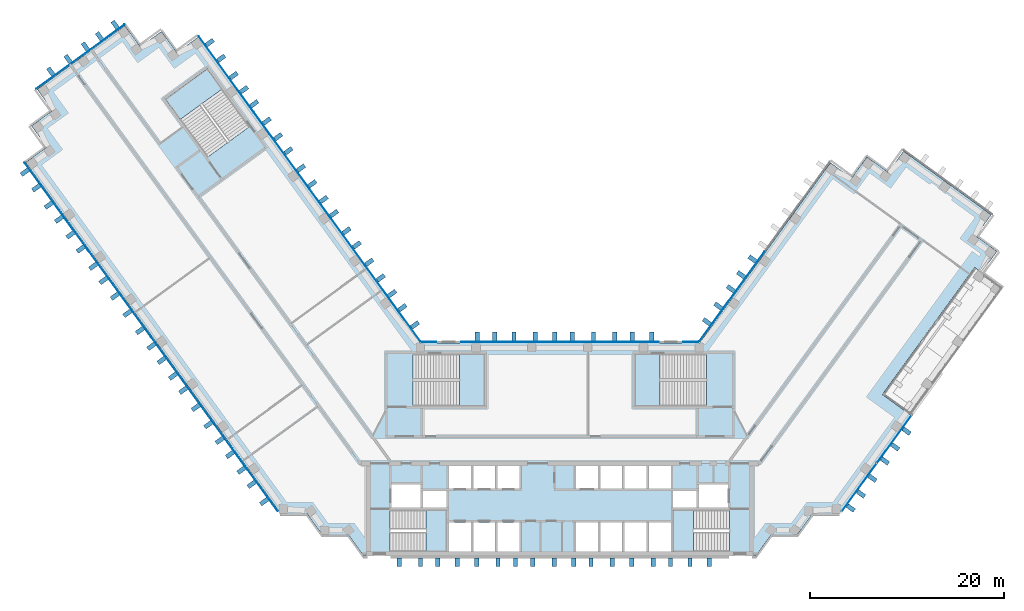
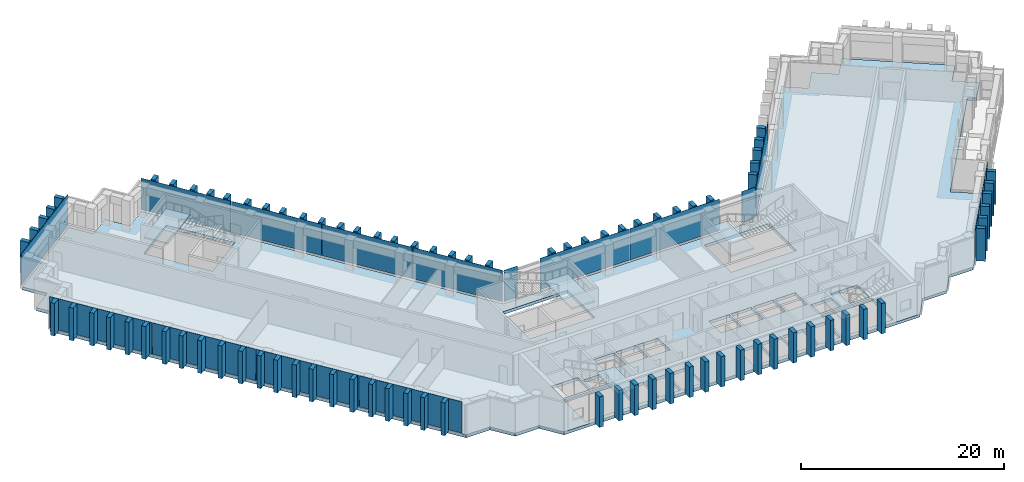
"""IFC4 building model written with IfcOpenShell, lengths in metres."""

from ifc_helpers import new_model, si_unit, direction, frame, origin, origin_2d, place, context, subcontext, project, spatial, polyline, rectangle, outline, extrude, material, layer, layer_set, type_object, element, aggregate, save


model = new_model("IFC4")

# Units and contexts
model_context = context("Model", 3, precision=1e-05, world=origin(), true_north=direction((0.0, 1.0)))
body_context = subcontext(model_context, "Body", "Model", "MODEL_VIEW")
ifc_project = project(units=[si_unit("LENGTHUNIT", "METRE"), si_unit("AREAUNIT", "SQUARE_METRE"), si_unit("VOLUMEUNIT", "CUBIC_METRE"), si_unit("PLANEANGLEUNIT", "RADIAN"), si_unit("MASSUNIT", "GRAM", prefix="KILO")], contexts=[model_context])

# Site, building, storey
site_placement = place(None, origin())
site = spatial("IfcSite", under=ifc_project, at=site_placement, CompositionType="ELEMENT")
building_placement = place(site_placement, origin())
building = spatial("IfcBuilding", under=site, at=building_placement, Name="Quipu Civic Tower", CompositionType="ELEMENT")
storey_1_placement = place(building_placement, frame((0.0, 0.0, 93.0)))
storey_1 = spatial("IfcBuildingStorey", under=building, at=storey_1_placement, Name="L21", CompositionType="ELEMENT", Elevation=93.0)

# Slab
ifc_material_1 = material(Name="Concrete C40/50", Category="concrete")
ifc_layer_1 = layer(ifc_material_1, 0.35009765625)
ifc_layer_set_1 = layer_set([ifc_layer_1], Name="Concrete C40/50")
slab_type_1 = type_object("IfcSlabType", Name="Floor slab 350 C40/50", PredefinedType="FLOOR", material=ifc_layer_set_1)
slab_1_placement = place(storey_1_placement, frame((0.0, 0.0, -0.35009765625)))
element("IfcSlab", 1, at=slab_1_placement, inside=storey_1, type_object=slab_type_1, Name="Floor slab L21", PredefinedType="FLOOR", context=body_context, shape_type="SweptSolid", body=[
    extrude(outline(polyline([(24.489990234375, -8.81494140625), (21.7900390625, -8.81494140625), (20.205078125, -11.0), (-20.205078125, -11.0), (-21.7900390625, -8.81494140625), (-24.489990234375, -8.81494140625), (-26.080078125, -6.6298828125), (-28.780029296875, -6.6298828125), (-55.114990234375, 29.614990234375), (-52.929931640625, 31.205078125), (-54.514892578125, 33.389892578125), (-52.3349609375, 34.97509765625), (-53.919921875, 37.159912109375), (-44.860107421875, 43.739990234375), (-43.27001953125, 41.56005859375), (-41.0849609375, 43.14501953125), (-39.5, 40.9599609375), (-37.31494140625, 42.550048828125), (-14.39501953125, 11.0), (14.39501953125, 11.0), (27.909912109375, 29.60498046875), (30.094970703125, 28.014892578125), (31.68505859375, 30.199951171875), (33.864990234375, 28.614990234375), (35.455078125, 30.800048828125), (44.514892578125, 24.215087890625), (42.929931640625, 22.030029296875), (45.114990234375, 20.445068359375), (43.52490234375, 18.260009765625), (42.794921875, 18.7900390625), (33.27490234375, 5.679931640625), (36.18994140625, 3.56494140625), (28.780029296875, -6.6298828125), (26.080078125, -6.6298828125), (24.489990234375, -8.81494140625)]), holes=[polyline([(-11.449951171875, -7.5), (-11.449951171875, -10.5), (-9.14990234375, -10.5), (-9.14990234375, -7.5), (-11.449951171875, -7.5)]), polyline([(-8.949951171875, -7.5), (-8.949951171875, -10.5), (-6.64990234375, -10.5), (-6.64990234375, -7.5), (-8.949951171875, -7.5)]), polyline([(-6.449951171875, -7.5), (-6.449951171875, -10.5), (-4.14990234375, -10.5), (-4.14990234375, -7.5), (-6.449951171875, -7.5)]), polyline([(-11.705078125, -10.4951171875), (-11.705078125, -6.2548828125), (-17.4951171875, -6.2548828125), (-17.4951171875, -10.4951171875), (-11.705078125, -10.4951171875)]), polyline([(-11.699951171875, -4.25), (-14.10009765625, -4.25), (-14.10009765625, -6.0), (-11.699951171875, -6.0), (-11.699951171875, -4.25)]), polyline([(-17.35009765625, -3.60009765625), (-17.35009765625, -6.0), (-14.35009765625, -6.0), (-14.35009765625, -3.60009765625), (-17.35009765625, -3.60009765625)]), polyline([(-9.14990234375, -1.699951171875), (-11.449951171875, -1.699951171875), (-11.449951171875, -4.0), (-9.14990234375, -4.0), (-9.14990234375, -1.699951171875)]), polyline([(-6.64990234375, -1.699951171875), (-8.949951171875, -1.699951171875), (-8.949951171875, -4.0), (-6.64990234375, -4.0), (-6.64990234375, -1.699951171875)]), polyline([(-6.449951171875, -1.699951171875), (-6.449951171875, -4.0), (-4.14990234375, -4.0), (-4.14990234375, -1.699951171875), (-6.449951171875, -1.699951171875)]), polyline([(3.949951171875, -1.699951171875), (1.64990234375, -1.699951171875), (1.64990234375, -4.0), (3.949951171875, -4.0), (3.949951171875, -1.699951171875)]), polyline([(-7.7548828125, 4.5048828125), (-7.7548828125, 9.844970703125), (-15.14501953125, 9.844970703125), (-15.14501953125, 4.5048828125), (-7.7548828125, 4.5048828125)]), polyline([(-40.68505859375, 36.135009765625), (-36.344970703125, 30.159912109375), (-32.02490234375, 33.300048828125), (-36.364990234375, 39.27490234375), (-40.68505859375, 36.135009765625)]), polyline([(3.949951171875, -7.5), (1.64990234375, -7.5), (1.64990234375, -10.5), (3.949951171875, -10.5), (3.949951171875, -7.5)]), polyline([(6.449951171875, -7.5), (4.14990234375, -7.5), (4.14990234375, -10.5), (6.449951171875, -10.5), (6.449951171875, -7.5)]), polyline([(6.64990234375, -7.5), (6.64990234375, -10.5), (8.949951171875, -10.5), (8.949951171875, -7.5), (6.64990234375, -7.5)]), polyline([(11.449951171875, -7.5), (9.14990234375, -7.5), (9.14990234375, -10.5), (11.449951171875, -10.5), (11.449951171875, -7.5)]), polyline([(11.705078125, -6.2548828125), (11.705078125, -10.4951171875), (17.4951171875, -10.4951171875), (17.4951171875, -6.2548828125), (11.705078125, -6.2548828125)]), polyline([(11.699951171875, -4.25), (11.699951171875, -6.0), (14.10009765625, -6.0), (14.10009765625, -4.25), (11.699951171875, -4.25)]), polyline([(17.35009765625, -3.60009765625), (14.35009765625, -3.60009765625), (14.35009765625, -6.0), (17.35009765625, -6.0), (17.35009765625, -3.60009765625)]), polyline([(6.449951171875, -1.699951171875), (4.14990234375, -1.699951171875), (4.14990234375, -4.0), (6.449951171875, -4.0), (6.449951171875, -1.699951171875)]), polyline([(6.64990234375, -1.699951171875), (6.64990234375, -4.0), (8.949951171875, -4.0), (8.949951171875, -1.699951171875), (6.64990234375, -1.699951171875)]), polyline([(11.449951171875, -1.699951171875), (9.14990234375, -1.699951171875), (9.14990234375, -4.0), (11.449951171875, -4.0), (11.449951171875, -1.699951171875)]), polyline([(7.7548828125, 9.844970703125), (7.7548828125, 4.5048828125), (15.14501953125, 4.5048828125), (15.14501953125, 9.844970703125), (7.7548828125, 9.844970703125)])]), origin(), (0.0, 0.0, 1.0), 0.35009765625),
])

# Storey
storey_2_placement = place(building_placement, frame((0.0, 0.0, 89.0)))
storey_2 = spatial("IfcBuildingStorey", under=building, at=storey_2_placement, Name="L20", CompositionType="ELEMENT", Elevation=89.0)

# Curtain wall, plate
ifc_material_2 = material(Name="Insulated glass unit", Category="glass")
curtain_wall_type = type_object("IfcCurtainWallType", Name="Office curtain wall CW1", PredefinedType="NOTDEFINED", material=ifc_material_2)
curtain_wall_1_placement = place(storey_2_placement, origin())
curtain_wall_1 = element("IfcCurtainWall", 2, at=curtain_wall_1_placement, inside=storey_2, type_object=curtain_wall_type, Name="Office curtain wall CW1 L19 run 11", PredefinedType="NOTDEFINED")
ifc_material_3 = material(Name="Insulated glass unit", Category="glass")
ifc_layer_2 = layer(ifc_material_3, 0.028076171875)
ifc_layer_set_2 = layer_set([ifc_layer_2], Name="Insulated glass unit")
plate_type_1 = type_object("IfcPlateType", Name="Glass panel CW1", PredefinedType="CURTAIN_PANEL", material=ifc_layer_set_2)
plate_1_placement = place(storey_1_placement, frame((17.7421875, 15.777099609375, 0.16015625), z_axis=(0.0, 0.0, 1.0), x_axis=(-0.587788727052, -0.809014469803, 0.0)))
plate_1 = element("IfcPlate", 3, at=plate_1_placement, inside=storey_1, type_object=plate_type_1, Name="CW1 panel 2.3", PredefinedType="CURTAIN_PANEL", context=body_context, shape_type="SweptSolid", body=[
    extrude(rectangle(XDim=11.402099609375, YDim=0.028076171875, at=origin_2d()), origin(), (0.0, 0.0, 1.0), 3.760009765625),
])
aggregate(curtain_wall_1, [plate_1])

curtain_wall_2_placement = place(storey_2_placement, origin())
curtain_wall_2 = element("IfcCurtainWall", 4, at=curtain_wall_2_placement, inside=storey_2, type_object=curtain_wall_type, Name="Office curtain wall CW1 L19 run 12", PredefinedType="NOTDEFINED")
plate_2_placement = place(storey_1_placement, frame((13.49951171875, 11.10009765625, 0.16015625), z_axis=(0.0, 0.0, 1.0), x_axis=(-1.0, 0.0, 0.0)))
plate_2 = element("IfcPlate", 5, at=plate_2_placement, inside=storey_1, type_object=plate_type_1, Name="CW1 panel 1.3", PredefinedType="CURTAIN_PANEL", context=body_context, shape_type="SweptSolid", body=[
    extrude(rectangle(XDim=1.529296875, YDim=0.028076171875, at=origin_2d()), origin(), (0.0, 0.0, 1.0), 3.760009765625),
])
aggregate(curtain_wall_2, [plate_2])

# Curtain wall, plates
curtain_wall_3_placement = place(storey_2_placement, origin())
curtain_wall_3 = element("IfcCurtainWall", 6, at=curtain_wall_3_placement, inside=storey_2, type_object=curtain_wall_type, Name="Office curtain wall CW1 L19 run 14", PredefinedType="NOTDEFINED")
plate_3_placement = place(storey_1_placement, frame((5.11181640625, 11.10009765625, 0.16015625), z_axis=(0.0, 0.0, 1.0), x_axis=(-1.0, 0.0, 0.0)))
plate_3 = element("IfcPlate", 7, at=plate_3_placement, inside=storey_1, type_object=plate_type_1, Name="CW1 panel 1.3", PredefinedType="CURTAIN_PANEL", context=body_context, shape_type="SweptSolid", body=[
    extrude(rectangle(XDim=10.1435546875, YDim=0.028076171875, at=origin_2d()), origin(), (0.0, 0.0, 1.0), 3.760009765625),
])
plate_4_placement = place(storey_1_placement, frame((-5.11181640625, 11.10009765625, 0.16015625), z_axis=(0.0, 0.0, 1.0), x_axis=(-1.0, 0.0, 0.0)))
plate_4 = element("IfcPlate", 8, at=plate_4_placement, inside=storey_1, type_object=plate_type_1, Name="CW1 panel 2.3", PredefinedType="CURTAIN_PANEL", context=body_context, shape_type="SweptSolid", body=[
    extrude(rectangle(XDim=10.1435546875, YDim=0.028076171875, at=origin_2d()), origin(), (0.0, 0.0, 1.0), 3.760009765625),
])
aggregate(curtain_wall_3, [plate_3, plate_4])

# Curtain wall, plate
curtain_wall_4_placement = place(storey_2_placement, origin())
curtain_wall_4 = element("IfcCurtainWall", 9, at=curtain_wall_4_placement, inside=storey_2, type_object=curtain_wall_type, Name="Office curtain wall CW1 L19 run 16", PredefinedType="NOTDEFINED")
plate_5_placement = place(storey_1_placement, frame((-13.49951171875, 11.10009765625, 0.16015625), z_axis=(0.0, 0.0, 1.0), x_axis=(-1.0, 0.0, 0.0)))
plate_5 = element("IfcPlate", 10, at=plate_5_placement, inside=storey_1, type_object=plate_type_1, Name="CW1 panel 1.3", PredefinedType="CURTAIN_PANEL", context=body_context, shape_type="SweptSolid", body=[
    extrude(rectangle(XDim=1.529296875, YDim=0.028076171875, at=origin_2d()), origin(), (0.0, 0.0, 1.0), 3.760009765625),
])
aggregate(curtain_wall_4, [plate_5])

# Curtain wall, plates
curtain_wall_5_placement = place(storey_2_placement, origin())
curtain_wall_5 = element("IfcCurtainWall", 11, at=curtain_wall_5_placement, inside=storey_2, type_object=curtain_wall_type, Name="Office curtain wall CW1 L19 run 17", PredefinedType="NOTDEFINED")
plate_6_placement = place(storey_1_placement, frame((-17.224609375, 15.064697265625, 0.16015625), z_axis=(0.0, 0.0, 1.0), x_axis=(-0.587785887566, 0.809016532822, 0.0)))
plate_6 = element("IfcPlate", 12, at=plate_6_placement, inside=storey_1, type_object=plate_type_1, Name="CW1 panel 1.3", PredefinedType="CURTAIN_PANEL", context=body_context, shape_type="SweptSolid", body=[
    extrude(rectangle(XDim=9.64111328125, YDim=0.028076171875, at=origin_2d()), origin(), (0.0, 0.0, 1.0), 3.760009765625),
])
plate_7_placement = place(storey_1_placement, frame((-22.950439453125, 22.9453125, 0.16015625), z_axis=(0.0, 0.0, 1.0), x_axis=(-0.587785887566, 0.809016532822, 0.0)))
plate_7 = element("IfcPlate", 13, at=plate_7_placement, inside=storey_1, type_object=plate_type_1, Name="CW1 panel 2.3", PredefinedType="CURTAIN_PANEL", context=body_context, shape_type="SweptSolid", body=[
    extrude(rectangle(XDim=9.68115234375, YDim=0.028076171875, at=origin_2d()), origin(), (0.0, 0.0, 1.0), 3.760009765625),
])
plate_8_placement = place(storey_1_placement, frame((-28.687744140625, 30.84228515625, 0.16015625), z_axis=(0.0, 0.0, 1.0), x_axis=(-0.587785887566, 0.809016532822, 0.0)))
plate_8 = element("IfcPlate", 14, at=plate_8_placement, inside=storey_1, type_object=plate_type_1, Name="CW1 panel 3.3", PredefinedType="CURTAIN_PANEL", context=body_context, shape_type="SweptSolid", body=[
    extrude(rectangle(XDim=9.68115234375, YDim=0.028076171875, at=origin_2d()), origin(), (0.0, 0.0, 1.0), 3.760009765625),
])
plate_9_placement = place(storey_1_placement, frame((-34.413330078125, 38.722900390625, 0.16015625), z_axis=(0.0, 0.0, 1.0), x_axis=(-0.587785887566, 0.809016532822, 0.0)))
plate_9 = element("IfcPlate", 15, at=plate_9_placement, inside=storey_1, type_object=plate_type_1, Name="CW1 panel 4.3", PredefinedType="CURTAIN_PANEL", context=body_context, shape_type="SweptSolid", body=[
    extrude(rectangle(XDim=9.64111328125, YDim=0.028076171875, at=origin_2d()), origin(), (0.0, 0.0, 1.0), 3.760009765625),
])
aggregate(curtain_wall_5, [plate_6, plate_7, plate_8, plate_9])

# Curtain wall, plate
curtain_wall_6_placement = place(storey_2_placement, origin())
curtain_wall_6 = element("IfcCurtainWall", 16, at=curtain_wall_6_placement, inside=storey_2, type_object=curtain_wall_type, Name="Office curtain wall CW1 L19 run 22", PredefinedType="NOTDEFINED")
plate_10_placement = place(storey_1_placement, frame((-49.447998046875, 40.53173828125, 0.16015625), z_axis=(0.0, 0.0, 1.0), x_axis=(-0.809019348124, -0.587782012621, 0.0)))
plate_10 = element("IfcPlate", 17, at=plate_10_placement, inside=storey_1, type_object=plate_type_1, Name="CW1 panel 1.3", PredefinedType="CURTAIN_PANEL", context=body_context, shape_type="SweptSolid", body=[
    extrude(rectangle(XDim=11.239990234375, YDim=0.028076171875, at=origin_2d()), origin(), (0.0, 0.0, 1.0), 3.760009765625),
])
aggregate(curtain_wall_6, [plate_10])

# Curtain wall, plates
curtain_wall_7_placement = place(storey_2_placement, origin())
curtain_wall_7 = element("IfcCurtainWall", 18, at=curtain_wall_7_placement, inside=storey_2, type_object=curtain_wall_type, Name="Office curtain wall CW1 L19 run 27", PredefinedType="NOTDEFINED")
plate_11_placement = place(storey_1_placement, frame((-51.967529296875, 25.114990234375, 0.16015625), z_axis=(0.0, 0.0, 1.0), x_axis=(0.587785559869, -0.809016770908, 0.0)))
plate_11 = element("IfcPlate", 19, at=plate_11_placement, inside=storey_1, type_object=plate_type_1, Name="CW1 panel 1.3", PredefinedType="CURTAIN_PANEL", context=body_context, shape_type="SweptSolid", body=[
    extrude(rectangle(XDim=11.022705078125, YDim=0.028076171875, at=origin_2d()), origin(), (0.0, 0.0, 1.0), 3.760009765625),
])
plate_12_placement = place(storey_1_placement, frame((-45.4296875, 16.11669921875, 0.16015625), z_axis=(0.0, 0.0, 1.0), x_axis=(0.587785559869, -0.809016770908, 0.0)))
plate_12 = element("IfcPlate", 20, at=plate_12_placement, inside=storey_1, type_object=plate_type_1, Name="CW1 panel 2.3", PredefinedType="CURTAIN_PANEL", context=body_context, shape_type="SweptSolid", body=[
    extrude(rectangle(XDim=11.062744140625, YDim=0.028076171875, at=origin_2d()), origin(), (0.0, 0.0, 1.0), 3.760009765625),
])
plate_13_placement = place(storey_1_placement, frame((-38.880126953125, 7.101806640625, 0.16015625), z_axis=(0.0, 0.0, 1.0), x_axis=(0.587785559869, -0.809016770908, 0.0)))
plate_13 = element("IfcPlate", 21, at=plate_13_placement, inside=storey_1, type_object=plate_type_1, Name="CW1 panel 3.3", PredefinedType="CURTAIN_PANEL", context=body_context, shape_type="SweptSolid", body=[
    extrude(rectangle(XDim=11.062744140625, YDim=0.028076171875, at=origin_2d()), origin(), (0.0, 0.0, 1.0), 3.760009765625),
])
plate_14_placement = place(storey_1_placement, frame((-32.342529296875, -1.896484375, 0.16015625), z_axis=(0.0, 0.0, 1.0), x_axis=(0.587785559869, -0.809016770908, 0.0)))
plate_14 = element("IfcPlate", 22, at=plate_14_placement, inside=storey_1, type_object=plate_type_1, Name="CW1 panel 4.3", PredefinedType="CURTAIN_PANEL", context=body_context, shape_type="SweptSolid", body=[
    extrude(rectangle(XDim=11.022705078125, YDim=0.028076171875, at=origin_2d()), origin(), (0.0, 0.0, 1.0), 3.760009765625),
])
aggregate(curtain_wall_7, [plate_11, plate_12, plate_13, plate_14])

curtain_wall_8_placement = place(storey_1_placement, origin())
curtain_wall_8 = element("IfcCurtainWall", 23, at=curtain_wall_8_placement, inside=storey_1, type_object=curtain_wall_type, Name="Office curtain wall CW1 L21 run 1", PredefinedType="NOTDEFINED")
plate_15_placement = place(storey_1_placement, frame((30.885498046875, -3.90185546875, 0.240234375), z_axis=(0.0, 0.0, 1.0), x_axis=(0.587783758352, 0.809018079784, 0.0)))
plate_15 = element("IfcPlate", 24, at=plate_15_placement, type_object=plate_type_1, Name="CW1 panel 1.1", PredefinedType="CURTAIN_PANEL", context=body_context, shape_type="SweptSolid", body=[
    extrude(rectangle(XDim=6.0654296875, YDim=0.028076171875, at=origin_2d()), origin(), (0.0, 0.0, 1.0), 3.679931640625),
])
plate_16_placement = place(storey_1_placement, frame((34.497802734375, 1.070068359375, 0.240234375), z_axis=(0.0, 0.0, 1.0), x_axis=(0.587783758352, 0.809018079784, 0.0)))
plate_16 = element("IfcPlate", 25, at=plate_16_placement, type_object=plate_type_1, Name="CW1 panel 2.1", PredefinedType="CURTAIN_PANEL", context=body_context, shape_type="SweptSolid", body=[
    extrude(rectangle(XDim=6.0654296875, YDim=0.028076171875, at=origin_2d()), origin(), (0.0, 0.0, 1.0), 3.679931640625),
])
aggregate(curtain_wall_8, [plate_15, plate_16])

# Plates
ifc_material_4 = material(Name="Precast concrete C40/50", Category="concrete")
plate_type_2 = type_object("IfcPlateType", Name="Precast fin F1", PredefinedType="SHEET", material=ifc_material_4)
for number, where, z_axis, x_axis, name in (
    (26, (19.876708984375, 19.650390625, 0.080078125), (0.0, 0.0, 1.0), (-0.587787133119, -0.809015627871, 0.0), "Precast fin F1 L21.P07.7"),
    (27, (18.701171875, 18.032470703125, 0.080078125), (0.0, 0.0, 1.0), (-0.587787133119, -0.809015627871, 0.0), "Precast fin F1 L21.P07.8"),
    (28, (17.64306640625, 16.576171875, 0.080078125), (0.0, 0.0, 1.0), (-0.587787133119, -0.809015627871, 0.0), "Precast fin F1 L21.P07.9"),
    (29, (16.349853515625, 14.79638671875, 0.080078125), (0.0, 0.0, 1.0), (-0.587787133119, -0.809015627871, 0.0), "Precast fin F1 L21.P07.10"),
    (30, (15.17431640625, 13.17822265625, 0.080078125), (0.0, 0.0, 1.0), (-0.587787133119, -0.809015627871, 0.0), "Precast fin F1 L21.P07.11"),
    (31, (9.47509765625, 11.64990234375, 0.080078125), (0.0, 0.0, 1.0), (-1.0, 0.0, 0.0), "Precast fin F1 L21.P10.1"),
    (32, (7.47509765625, 11.64990234375, 0.080078125), (0.0, 0.0, 1.0), (-1.0, 0.0, 0.0), "Precast fin F1 L21.P10.2"),
    (33, (5.675048828125, 11.64990234375, 0.080078125), (0.0, 0.0, 1.0), (-1.0, 0.0, 0.0), "Precast fin F1 L21.P10.3"),
    (34, (3.47509765625, 11.64990234375, 0.080078125), (0.0, 0.0, 1.0), (-1.0, 0.0, 0.0), "Precast fin F1 L21.P10.4"),
    (35, (1.27490234375, 11.64990234375, 0.080078125), (0.0, 0.0, 1.0), (-1.0, 0.0, 0.0), "Precast fin F1 L21.P10.5"),
    (36, (-0.52490234375, 11.64990234375, 0.080078125), (0.0, 0.0, 1.0), (-1.0, 0.0, 0.0), "Precast fin F1 L21.P10.6"),
    (37, (-2.52490234375, 11.64990234375, 0.080078125), (0.0, 0.0, 1.0), (-1.0, 0.0, 0.0), "Precast fin F1 L21.P10.7"),
    (38, (-4.72509765625, 11.64990234375, 0.080078125), (0.0, 0.0, 1.0), (-1.0, 0.0, 0.0), "Precast fin F1 L21.P10.8"),
    (39, (-6.72509765625, 11.64990234375, 0.080078125), (0.0, 0.0, 1.0), (-1.0, 0.0, 0.0), "Precast fin F1 L21.P10.9"),
    (40, (-8.52490234375, 11.64990234375, 0.080078125), (0.0, 0.0, 1.0), (-1.0, 0.0, 0.0), "Precast fin F1 L21.P10.10"),
    (41, (-14.942138671875, 12.8583984375, 0.080078125), (0.0, 0.0, 1.0), (-0.587784944053, 0.809017218324, 0.0), "Precast fin F1 L21.P13.1"),
    (42, (-16.235107421875, 14.638427734375, 0.080078125), (0.0, 0.0, 1.0), (-0.587784944053, 0.809017218324, 0.0), "Precast fin F1 L21.P13.2"),
    (43, (-17.293212890625, 16.094482421875, 0.080078125), (0.0, 0.0, 1.0), (-0.587784944053, 0.809017218324, 0.0), "Precast fin F1 L21.P13.3"),
    (44, (-18.46875, 17.712646484375, 0.080078125), (0.0, 0.0, 1.0), (-0.587784944053, 0.809017218324, 0.0), "Precast fin F1 L21.P13.4"),
    (45, (-19.644287109375, 19.33056640625, 0.080078125), (0.0, 0.0, 1.0), (-0.587784944053, 0.809017218324, 0.0), "Precast fin F1 L21.P13.5"),
    (46, (-20.9375, 21.110595703125, 0.080078125), (0.0, 0.0, 1.0), (-0.587784944053, 0.809017218324, 0.0), "Precast fin F1 L21.P13.6"),
    (47, (-21.995361328125, 22.566650390625, 0.080078125), (0.0, 0.0, 1.0), (-0.587784944053, 0.809017218324, 0.0), "Precast fin F1 L21.P13.7"),
    (48, (-23.28857421875, 24.3466796875, 0.080078125), (0.0, 0.0, 1.0), (-0.587784944053, 0.809017218324, 0.0), "Precast fin F1 L21.P13.8"),
    (49, (-24.3466796875, 25.802734375, 0.080078125), (0.0, 0.0, 1.0), (-0.587784944053, 0.809017218324, 0.0), "Precast fin F1 L21.P13.9"),
    (50, (-25.522216796875, 27.4208984375, 0.080078125), (0.0, 0.0, 1.0), (-0.587784944053, 0.809017218324, 0.0), "Precast fin F1 L21.P13.10"),
    (51, (-26.69775390625, 29.038818359375, 0.080078125), (0.0, 0.0, 1.0), (-0.587784944053, 0.809017218324, 0.0), "Precast fin F1 L21.P13.11"),
    (52, (-27.990966796875, 30.818603515625, 0.080078125), (0.0, 0.0, 1.0), (-0.587784944053, 0.809017218324, 0.0), "Precast fin F1 L21.P13.12"),
    (53, (-29.048828125, 32.27490234375, 0.080078125), (0.0, 0.0, 1.0), (-0.587784944053, 0.809017218324, 0.0), "Precast fin F1 L21.P13.13"),
    (54, (-30.224365234375, 33.89306640625, 0.080078125), (0.0, 0.0, 1.0), (-0.587784944053, 0.809017218324, 0.0), "Precast fin F1 L21.P13.14"),
    (55, (-31.517578125, 35.6728515625, 0.080078125), (0.0, 0.0, 1.0), (-0.587784944053, 0.809017218324, 0.0), "Precast fin F1 L21.P13.15"),
    (56, (-32.57568359375, 37.129150390625, 0.080078125), (0.0, 0.0, 1.0), (-0.587784944053, 0.809017218324, 0.0), "Precast fin F1 L21.P13.16"),
    (57, (-33.633544921875, 38.585205078125, 0.080078125), (0.0, 0.0, 1.0), (-0.587784944053, 0.809017218324, 0.0), "Precast fin F1 L21.P13.17"),
    (58, (-34.9267578125, 40.364990234375, 0.080078125), (0.0, 0.0, 1.0), (-0.587784944053, 0.809017218324, 0.0), "Precast fin F1 L21.P13.18"),
    (59, (-36.102294921875, 41.983154296875, 0.080078125), (0.0, 0.0, 1.0), (-0.587784944053, 0.809017218324, 0.0), "Precast fin F1 L21.P13.19"),
    (60, (-45.867919921875, 43.812744140625, 0.080078125), (0.0, 0.0, 1.0), (-0.809021318545, -0.587779300537, 0.0), "Precast fin F1 L21.P18.1"),
    (61, (-47.48583984375, 42.63720703125, 0.080078125), (0.0, 0.0, 1.0), (-0.809021318545, -0.587779300537, 0.0), "Precast fin F1 L21.P18.2"),
    (62, (-48.942138671875, 41.5791015625, 0.080078125), (0.0, 0.0, 1.0), (-0.809021318545, -0.587779300537, 0.0), "Precast fin F1 L21.P18.3"),
    (63, (-50.721923828125, 40.2861328125, 0.080078125), (0.0, 0.0, 1.0), (-0.809021318545, -0.587779300537, 0.0), "Precast fin F1 L21.P18.4"),
    (64, (-52.501708984375, 38.992919921875, 0.080078125), (0.0, 0.0, 1.0), (-0.809021318545, -0.587779300537, 0.0), "Precast fin F1 L21.P18.5"),
    (65, (-55.184814453125, 28.607421875, 0.080078125), (0.0, 0.0, 1.0), (0.587785716149, -0.809016657363, 0.0), "Precast fin F1 L21.P23.1"),
    (66, (-54.00927734375, 26.989501953125, 0.080078125), (0.0, 0.0, 1.0), (0.587785716149, -0.809016657363, 0.0), "Precast fin F1 L21.P23.2"),
    (67, (-52.716064453125, 25.20947265625, 0.080078125), (0.0, 0.0, 1.0), (0.587785716149, -0.809016657363, 0.0), "Precast fin F1 L21.P23.3"),
    (68, (-51.657958984375, 23.75341796875, 0.080078125), (0.0, 0.0, 1.0), (0.587785716149, -0.809016657363, 0.0), "Precast fin F1 L21.P23.4"),
    (69, (-50.482421875, 22.13525390625, 0.080078125), (0.0, 0.0, 1.0), (0.587785716149, -0.809016657363, 0.0), "Precast fin F1 L21.P23.5"),
    (70, (-49.42431640625, 20.67919921875, 0.080078125), (0.0, 0.0, 1.0), (0.587785716149, -0.809016657363, 0.0), "Precast fin F1 L21.P23.6"),
    (71, (-48.13134765625, 18.899169921875, 0.080078125), (0.0, 0.0, 1.0), (0.587785716149, -0.809016657363, 0.0), "Precast fin F1 L21.P23.7"),
    (72, (-47.0732421875, 17.443115234375, 0.080078125), (0.0, 0.0, 1.0), (0.587785716149, -0.809016657363, 0.0), "Precast fin F1 L21.P23.8"),
    (73, (-45.897705078125, 15.824951171875, 0.080078125), (0.0, 0.0, 1.0), (0.587785716149, -0.809016657363, 0.0), "Precast fin F1 L21.P23.9"),
    (74, (-44.6044921875, 14.045166015625, 0.080078125), (0.0, 0.0, 1.0), (0.587785716149, -0.809016657363, 0.0), "Precast fin F1 L21.P23.10"),
    (75, (-43.3115234375, 12.265380859375, 0.080078125), (0.0, 0.0, 1.0), (0.587785716149, -0.809016657363, 0.0), "Precast fin F1 L21.P23.11"),
    (76, (-42.135986328125, 10.647216796875, 0.080078125), (0.0, 0.0, 1.0), (0.587785716149, -0.809016657363, 0.0), "Precast fin F1 L21.P23.12"),
    (77, (-41.077880859375, 9.191162109375, 0.080078125), (0.0, 0.0, 1.0), (0.587785716149, -0.809016657363, 0.0), "Precast fin F1 L21.P23.13"),
    (78, (-39.90234375, 7.572998046875, 0.080078125), (0.0, 0.0, 1.0), (0.587785716149, -0.809016657363, 0.0), "Precast fin F1 L21.P23.14"),
    (79, (-38.84423828125, 6.11669921875, 0.080078125), (0.0, 0.0, 1.0), (0.587785716149, -0.809016657363, 0.0), "Precast fin F1 L21.P23.15"),
    (80, (-37.55126953125, 4.3369140625, 0.080078125), (0.0, 0.0, 1.0), (0.587785716149, -0.809016657363, 0.0), "Precast fin F1 L21.P23.16"),
    (81, (-36.258056640625, 2.55712890625, 0.080078125), (0.0, 0.0, 1.0), (0.587785716149, -0.809016657363, 0.0), "Precast fin F1 L21.P23.17"),
    (82, (-35.08251953125, 0.93896484375, 0.080078125), (0.0, 0.0, 1.0), (0.587785716149, -0.809016657363, 0.0), "Precast fin F1 L21.P23.18"),
    (83, (-34.0244140625, -0.51708984375, 0.080078125), (0.0, 0.0, 1.0), (0.587785716149, -0.809016657363, 0.0), "Precast fin F1 L21.P23.19"),
    (84, (-32.848876953125, -2.13525390625, 0.080078125), (0.0, 0.0, 1.0), (0.587785716149, -0.809016657363, 0.0), "Precast fin F1 L21.P23.20"),
    (85, (-31.790771484375, -3.59130859375, 0.080078125), (0.0, 0.0, 1.0), (0.587785716149, -0.809016657363, 0.0), "Precast fin F1 L21.P23.21"),
    (86, (-30.497802734375, -5.371337890625, 0.080078125), (0.0, 0.0, 1.0), (0.587785716149, -0.809016657363, 0.0), "Precast fin F1 L21.P23.22"),
):
    element("IfcPlate", number, at=place(storey_1_placement, frame(where, z_axis=z_axis, x_axis=x_axis)), inside=storey_1, type_object=plate_type_2, Name=name, PredefinedType="SHEET", context=body_context, shape_type="SweptSolid", body=[
        extrude(rectangle(XDim=0.449951171875, YDim=0.89990234375, at=origin_2d()), origin(), (0.0, 0.0, 1.0), 3.919921875),
    ])
for number, where, z_axis, x_axis, name in (
    (87, (-16.574951171875, -11.637939453125, 0.0), (0.0, 0.0, 1.0), (1.0, 0.0, 0.0), "Precast fin F1 L21.P30.1"),
    (88, (-14.375, -11.637939453125, 0.0), (0.0, 0.0, 1.0), (1.0, 0.0, 0.0), "Precast fin F1 L21.P30.2"),
    (89, (-12.574951171875, -11.637939453125, 0.0), (0.0, 0.0, 1.0), (1.0, 0.0, 0.0), "Precast fin F1 L21.P30.3"),
    (90, (-10.574951171875, -11.637939453125, 0.0), (0.0, 0.0, 1.0), (1.0, 0.0, 0.0), "Precast fin F1 L21.P30.4"),
    (91, (-8.574951171875, -11.637939453125, 0.0), (0.0, 0.0, 1.0), (1.0, 0.0, 0.0), "Precast fin F1 L21.P30.5"),
    (92, (-6.375, -11.637939453125, 0.0), (0.0, 0.0, 1.0), (1.0, 0.0, 0.0), "Precast fin F1 L21.P30.6"),
    (93, (-4.574951171875, -11.637939453125, 0.0), (0.0, 0.0, 1.0), (1.0, 0.0, 0.0), "Precast fin F1 L21.P30.7"),
    (94, (-2.77490234375, -11.637939453125, 0.0), (0.0, 0.0, 1.0), (1.0, 0.0, 0.0), "Precast fin F1 L21.P30.8"),
    (95, (-0.574951171875, -11.637939453125, 0.0), (0.0, 0.0, 1.0), (1.0, 0.0, 0.0), "Precast fin F1 L21.P30.9"),
    (96, (1.425048828125, -11.637939453125, 0.0), (0.0, 0.0, 1.0), (1.0, 0.0, 0.0), "Precast fin F1 L21.P30.10"),
    (97, (3.22509765625, -11.637939453125, 0.0), (0.0, 0.0, 1.0), (1.0, 0.0, 0.0), "Precast fin F1 L21.P30.11"),
    (98, (5.425048828125, -11.637939453125, 0.0), (0.0, 0.0, 1.0), (1.0, 0.0, 0.0), "Precast fin F1 L21.P30.12"),
    (99, (7.425048828125, -11.637939453125, 0.0), (0.0, 0.0, 1.0), (1.0, 0.0, 0.0), "Precast fin F1 L21.P30.13"),
    (100, (9.625, -11.637939453125, 0.0), (0.0, 0.0, 1.0), (1.0, 0.0, 0.0), "Precast fin F1 L21.P30.14"),
    (101, (11.425048828125, -11.637939453125, 0.0), (0.0, 0.0, 1.0), (1.0, 0.0, 0.0), "Precast fin F1 L21.P30.15"),
    (102, (13.425048828125, -11.637939453125, 0.0), (0.0, 0.0, 1.0), (1.0, 0.0, 0.0), "Precast fin F1 L21.P30.16"),
    (103, (15.425048828125, -11.637939453125, 0.0), (0.0, 0.0, 1.0), (1.0, 0.0, 0.0), "Precast fin F1 L21.P30.17"),
):
    element("IfcPlate", number, at=place(storey_1_placement, frame(where, z_axis=z_axis, x_axis=x_axis)), inside=storey_1, type_object=plate_type_2, Name=name, PredefinedType="SHEET", context=body_context, shape_type="SweptSolid", body=[
        extrude(rectangle(XDim=0.449951171875, YDim=0.89990234375, at=origin_2d()), origin(), (0.0, 0.0, 1.0), 3.64990234375),
    ])
for number, where, z_axis, x_axis, name in (
    (104, (30.012939453125, -6.038330078125, 0.080078125), (0.0, 0.0, 1.0), (0.58778434727, 0.809017651911, 0.0), "Precast fin F1 L21.1.1"),
    (105, (31.071044921875, -4.582275390625, 0.080078125), (0.0, 0.0, 1.0), (0.58778434727, 0.809017651911, 0.0), "Precast fin F1 L21.1.2"),
    (106, (32.24658203125, -2.964111328125, 0.080078125), (0.0, 0.0, 1.0), (0.58778434727, 0.809017651911, 0.0), "Precast fin F1 L21.1.3"),
    (107, (33.539794921875, -1.184326171875, 0.080078125), (0.0, 0.0, 1.0), (0.58778434727, 0.809017651911, 0.0), "Precast fin F1 L21.1.4"),
    (108, (34.59765625, 0.27197265625, 0.080078125), (0.0, 0.0, 1.0), (0.58778434727, 0.809017651911, 0.0), "Precast fin F1 L21.1.5"),
    (109, (35.773193359375, 1.889892578125, 0.080078125), (0.0, 0.0, 1.0), (0.58778434727, 0.809017651911, 0.0), "Precast fin F1 L21.1.6"),
):
    element("IfcPlate", number, at=place(storey_1_placement, frame(where, z_axis=z_axis, x_axis=x_axis)), inside=storey_1, type_object=plate_type_2, Name=name, PredefinedType="SHEET", context=body_context, shape_type="SweptSolid", body=[
        extrude(rectangle(XDim=0.449951171875, YDim=0.89990234375, at=origin_2d()), origin(), (0.0, 0.0, 1.0), 3.919921875),
    ])

# Stair, slab
ifc_material_5 = material(Name="Concrete C40/50", Category="concrete")
stair_type_1 = type_object("IfcStairType", Name="Half turn stair 2000", PredefinedType="HALF_TURN_STAIR", material=ifc_material_5)
stair_1_placement = place(storey_1_placement, origin())
stair_1 = element("IfcStair", 110, at=stair_1_placement, inside=storey_1, type_object=stair_type_1, Name="Exit stair 1", PredefinedType="HALF_TURN_STAIR")
ifc_material_6 = material(Name="Concrete C40/50", Category="concrete")
ifc_layer_3 = layer(ifc_material_6, 0.199951171875)
ifc_layer_set_3 = layer_set([ifc_layer_3], Name="Concrete C40/50")
slab_type_2 = type_object("IfcSlabType", Name="Stair landing 200", PredefinedType="LANDING", material=ifc_layer_set_3)
slab_2_placement = place(storey_1_placement, frame((0.0, 0.0, 1.800048828125)))
slab_2 = element("IfcSlab", 111, at=slab_2_placement, type_object=slab_type_2, Name="ST-1 landing 1", PredefinedType="LANDING", context=body_context, shape_type="SweptSolid", body=[
    extrude(outline(polyline([(-13.780029296875, -10.5), (-11.699951171875, -10.5), (-11.699951171875, -6.25), (-13.780029296875, -6.25), (-13.780029296875, -10.5)])), origin(), (0.0, 0.0, 1.0), 0.199951171875),
])
aggregate(stair_1, [slab_2])

stair_2_placement = place(storey_1_placement, origin())
stair_2 = element("IfcStair", 112, at=stair_2_placement, inside=storey_1, type_object=stair_type_1, Name="Exit stair 2", PredefinedType="HALF_TURN_STAIR")
slab_3_placement = place(storey_1_placement, frame((0.0, 0.0, 1.800048828125)))
slab_3 = element("IfcSlab", 113, at=slab_3_placement, type_object=slab_type_2, Name="ST-2 landing 1", PredefinedType="LANDING", context=body_context, shape_type="SweptSolid", body=[
    extrude(outline(polyline([(13.780029296875, -6.25), (11.699951171875, -6.25), (11.699951171875, -10.5), (13.780029296875, -10.5), (13.780029296875, -6.25)])), origin(), (0.0, 0.0, 1.0), 0.199951171875),
])
aggregate(stair_2, [slab_3])

ifc_material_7 = material(Name="Concrete C40/50", Category="concrete")
stair_type_2 = type_object("IfcStairType", Name="Half turn stair 2600", PredefinedType="HALF_TURN_STAIR", material=ifc_material_7)
stair_3_placement = place(storey_1_placement, origin())
stair_3 = element("IfcStair", 114, at=stair_3_placement, inside=storey_1, type_object=stair_type_2, Name="Exit stair 3", PredefinedType="HALF_TURN_STAIR")
slab_4_placement = place(storey_1_placement, frame((0.0, 0.0, 1.800048828125)))
slab_4 = element("IfcSlab", 115, at=slab_4_placement, type_object=slab_type_2, Name="ST-3 landing 1", PredefinedType="LANDING", context=body_context, shape_type="SweptSolid", body=[
    extrude(outline(polyline([(-10.35009765625, 4.5), (-7.75, 4.5), (-7.75, 9.85009765625), (-10.35009765625, 9.85009765625), (-10.35009765625, 4.5)])), origin(), (0.0, 0.0, 1.0), 0.199951171875),
])
aggregate(stair_3, [slab_4])

stair_4_placement = place(storey_1_placement, origin())
stair_4 = element("IfcStair", 116, at=stair_4_placement, inside=storey_1, type_object=stair_type_2, Name="Exit stair 4", PredefinedType="HALF_TURN_STAIR")
slab_5_placement = place(storey_1_placement, frame((0.0, 0.0, 1.800048828125)))
slab_5 = element("IfcSlab", 117, at=slab_5_placement, type_object=slab_type_2, Name="ST-4 landing 1", PredefinedType="LANDING", context=body_context, shape_type="SweptSolid", body=[
    extrude(outline(polyline([(10.35009765625, 9.85009765625), (7.75, 9.85009765625), (7.75, 4.5), (10.35009765625, 4.5), (10.35009765625, 9.85009765625)])), origin(), (0.0, 0.0, 1.0), 0.199951171875),
])
aggregate(stair_4, [slab_5])

stair_5_placement = place(storey_1_placement, origin())
stair_5 = element("IfcStair", 118, at=stair_5_placement, inside=storey_1, type_object=stair_type_2, Name="Exit stair 6", PredefinedType="HALF_TURN_STAIR")
slab_6_placement = place(storey_1_placement, frame((0.0, 0.0, 1.800048828125)))
slab_6 = element("IfcSlab", 119, at=slab_6_placement, type_object=slab_type_2, Name="ST-6 landing 1", PredefinedType="LANDING", context=body_context, shape_type="SweptSolid", body=[
    extrude(outline(polyline([(-34.837158203125, 37.179443359375), (-36.365478515625, 39.282958984375), (-40.69384765625, 36.138427734375), (-39.16552734375, 34.034912109375), (-34.837158203125, 37.179443359375)])), origin(), (0.0, 0.0, 1.0), 0.199951171875),
])
aggregate(stair_5, [slab_6])

save(model, "model.ifc")
